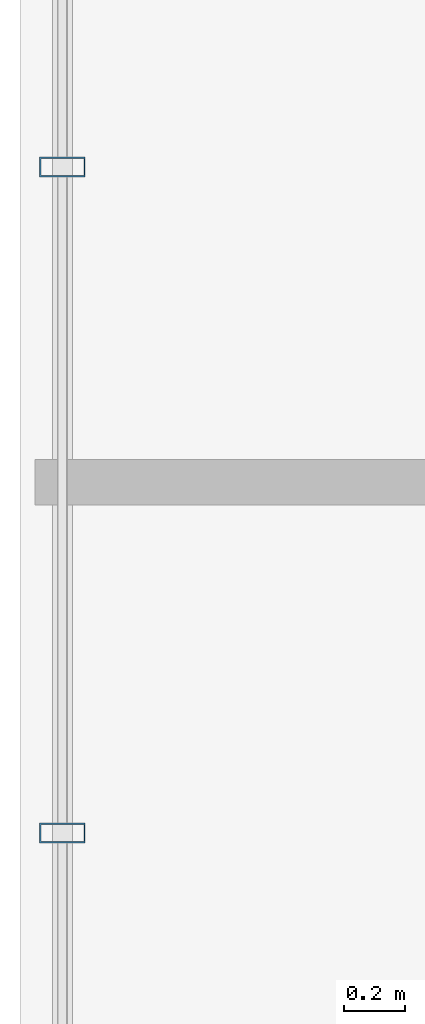
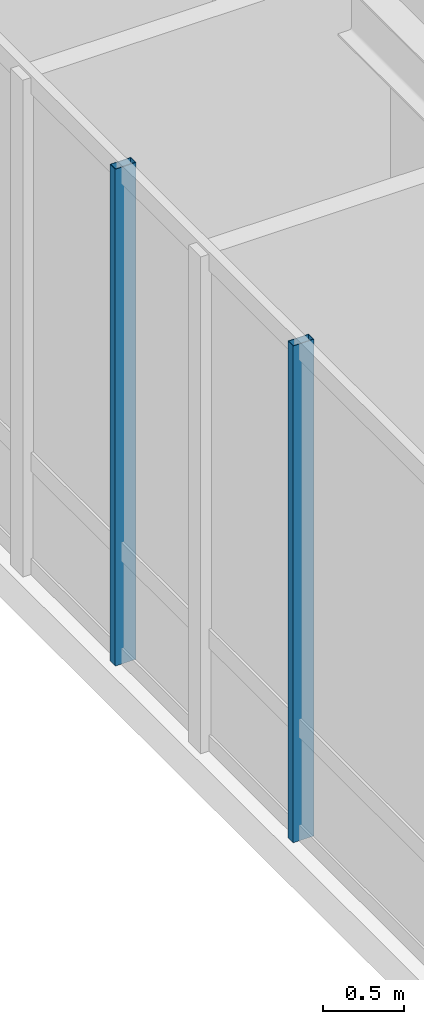
# One storey, part 11 of 30: 2 members, 1 element without a shape of its own.
"""IFC4 building model written with IfcOpenShell, lengths in metres."""

from ifc_helpers import new_model, si_unit, direction, frame, origin, origin_2d, place, context, subcontext, project, spatial, hollow_rectangle, extrude, material, layer, layer_set, material_profile, profile_set, type_object, element, aggregate, save


model = new_model("IFC4")

# Units and contexts
model_context = context("Model", 3, precision=1e-05, world=origin(), true_north=direction((0.0, 1.0)))
body_context = subcontext(model_context, "Body", "Model", "MODEL_VIEW")
ifc_project = project(units=[si_unit("LENGTHUNIT", "METRE"), si_unit("AREAUNIT", "SQUARE_METRE"), si_unit("VOLUMEUNIT", "CUBIC_METRE"), si_unit("PLANEANGLEUNIT", "RADIAN"), si_unit("MASSUNIT", "GRAM", prefix="KILO")], contexts=[model_context])

# Site, building, storey
site_placement = place(None, origin())
site = spatial("IfcSite", under=ifc_project, at=site_placement, CompositionType="ELEMENT")
building_placement = place(site_placement, origin())
building = spatial("IfcBuilding", under=site, at=building_placement, Name="Hatsunagi Terrace Concourse", CompositionType="ELEMENT")
storey_placement = place(building_placement, frame((0.0, 0.0, 273.949951171875)))
storey = spatial("IfcBuildingStorey", under=building, at=storey_placement, Name="L72", CompositionType="ELEMENT", Elevation=273.949951171875)

# Curtain wall, members
ifc_material_1 = material(Name="Anodised Aluminium Alloy 6063-T5", Category="aluminium")
ifc_layer = layer(ifc_material_1, 0.199951171875)
ifc_layer_set = layer_set([ifc_layer], Name="CrownWintergarden_CW06")
curtain_wall_type = type_object("IfcCurtainWallType", Name="CrownWintergarden_CW06", PredefinedType="NOTDEFINED", material=ifc_layer_set)
curtain_wall_placement = place(storey_placement, origin())
curtain_wall = element("IfcCurtainWall", 1, at=curtain_wall_placement, inside=storey, type_object=curtain_wall_type, Name="Unitised Curtain Wall CW-06 CW-L72-07", PredefinedType="NOTDEFINED")
ifc_material_2 = material(Name="Anodised Aluminium Alloy 6063-T5", Category="aluminium")
ifc_material_profile = material_profile(ifc_material_2, hollow_rectangle(XDim=0.06494140625, YDim=0.14990234375, WallThickness=0.00390625, at=origin_2d()), Name="ALU-MUL-150x65x4")
ifc_profile_set = profile_set([ifc_material_profile], Name="Anodised Aluminium Alloy 6063-T5")
member_type = type_object("IfcMemberType", Name="CurtainWallMullion_Crown_150x65", PredefinedType="MULLION", material=ifc_profile_set)
member_1_placement = place(storey_placement, frame((20.5400390625, 32.341064453125, 0.0), z_axis=(0.0, 0.0, 1.0), x_axis=(0.0, 1.0, 0.0)))
member_1 = element("IfcMember", 2, at=member_1_placement, type_object=member_type, Name="Curtain Wall Mullion MUL-03", PredefinedType="MULLION", context=body_context, shape_type="SweptSolid", body=[
    extrude(hollow_rectangle(XDim=0.06494140625, YDim=0.14990234375, WallThickness=0.00390625, at=origin_2d()), origin(), (0.0, 0.0, 1.0), 3.75),
])
member_2_placement = place(storey_placement, frame((20.5400390625, 34.541015625, 0.0), z_axis=(0.0, 0.0, 1.0), x_axis=(0.0, 1.0, 0.0)))
member_2 = element("IfcMember", 3, at=member_2_placement, type_object=member_type, Name="Curtain Wall Mullion MUL-03", PredefinedType="MULLION", context=body_context, shape_type="SweptSolid", body=[
    extrude(hollow_rectangle(XDim=0.06494140625, YDim=0.14990234375, WallThickness=0.00390625, at=origin_2d()), origin(), (0.0, 0.0, 1.0), 3.75),
])
aggregate(curtain_wall, [member_1, member_2])

save(model, "model.ifc")
